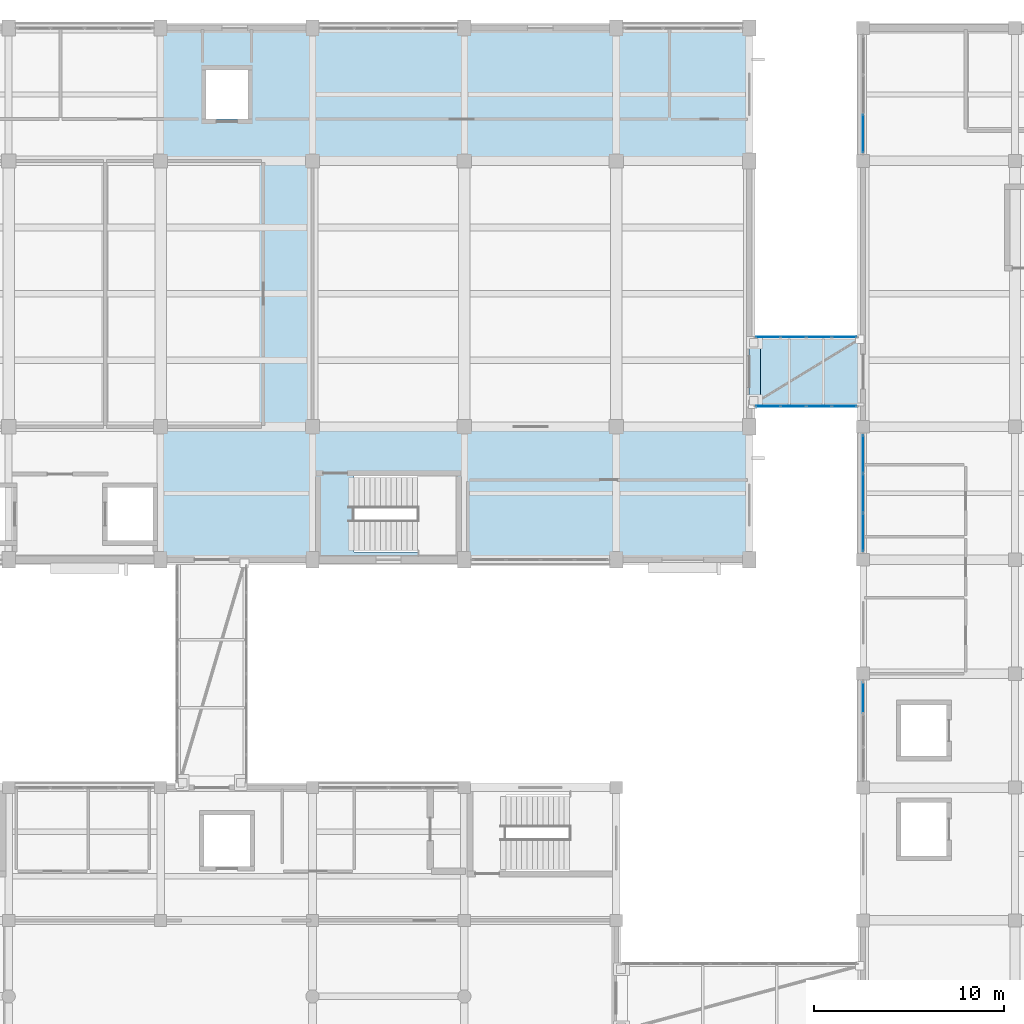
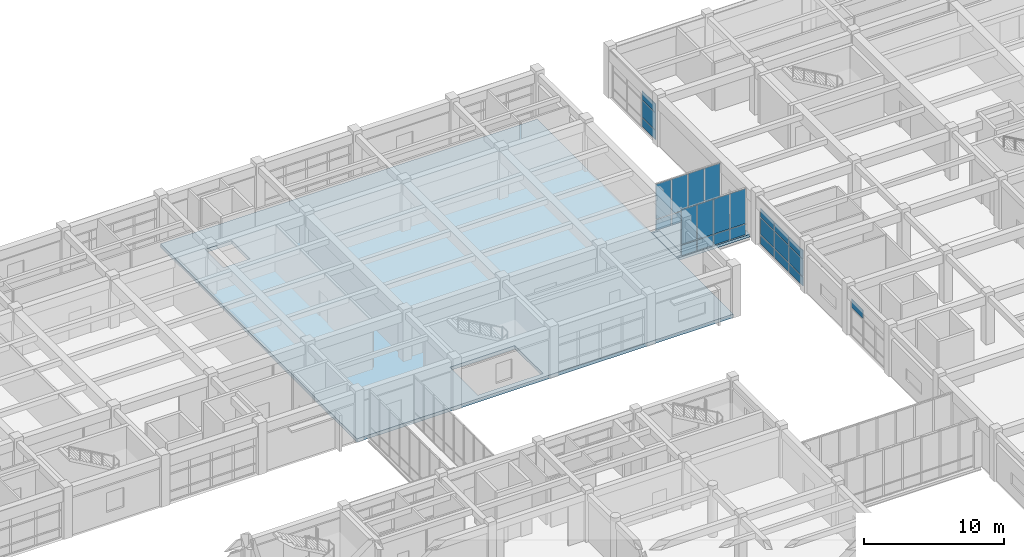
# One storey, part 42 of 72: 30 plates, 2 slabs, 5 elements without a shape of their own.
"""IFC4 building model written with IfcOpenShell, lengths in metres."""

from ifc_helpers import new_model, si_unit, direction, frame, origin, origin_2d, place, context, subcontext, project, spatial, polyline, rectangle, outline, extrude, material, layer, layer_set, type_object, element, aggregate, save


model = new_model("IFC4")

# Units and contexts
model_context = context("Model", 3, precision=1e-05, world=origin(), true_north=direction((0.0, 1.0)))
body_context = subcontext(model_context, "Body", "Model", "MODEL_VIEW")
ifc_project = project(units=[si_unit("LENGTHUNIT", "METRE"), si_unit("AREAUNIT", "SQUARE_METRE"), si_unit("VOLUMEUNIT", "CUBIC_METRE"), si_unit("PLANEANGLEUNIT", "RADIAN"), si_unit("MASSUNIT", "GRAM", prefix="KILO")], contexts=[model_context])

# Site, building, storey
site_placement = place(None, origin())
site = spatial("IfcSite", under=ifc_project, at=site_placement, CompositionType="ELEMENT")
building_placement = place(site_placement, origin())
building = spatial("IfcBuilding", under=site, at=building_placement, Name="Naurynzar Civic Courthouse", CompositionType="ELEMENT")
storey_placement = place(building_placement, frame((0.0, 0.0, 9.89990234375)))
storey = spatial("IfcBuildingStorey", under=building, at=storey_placement, Name="L03", CompositionType="ELEMENT", Elevation=9.89990234375)

# Curtain wall, plates
ifc_material_1 = material(Name="Aluminium 6063-T6", Category="aluminium")
ifc_layer_1 = layer(ifc_material_1, 0.14990234375)
ifc_layer_set_1 = layer_set([ifc_layer_1], Name="CW-BRIDGE-1500")
curtain_wall_type_1 = type_object("IfcCurtainWallType", Name="CW-BRIDGE-1500", PredefinedType="USERDEFINED", material=ifc_layer_set_1)
curtain_wall_1_placement = place(storey_placement, origin())
curtain_wall_1 = element("IfcCurtainWall", 1, at=curtain_wall_1_placement, inside=storey, type_object=curtain_wall_type_1, Name="BR-E1 glazed bridge screen L03.1", ObjectType="GLAZED BRIDGE SCREEN", PredefinedType="USERDEFINED")
ifc_material_2 = material(Name="Tempered Laminated Low-E Glass", Category="glass")
ifc_layer_2 = layer(ifc_material_2, 0.031982421875)
ifc_layer_set_2 = layer_set([ifc_layer_2], Name="CWP-IGU-32")
plate_type_1 = type_object("IfcPlateType", Name="CWP-IGU-32", PredefinedType="CURTAIN_PANEL", material=ifc_layer_set_2)
plate_1_placement = place(storey_placement, frame((124.989990234375, 52.080078125, 0.06005859375), z_axis=(0.0, 0.0, 1.0), x_axis=(1.0, 0.0, 0.0)))
plate_1 = element("IfcPlate", 2, at=plate_1_placement, type_object=plate_type_1, Name="CW-03 panel 1.1", PredefinedType="CURTAIN_PANEL", context=body_context, shape_type="SweptSolid", body=[
    extrude(rectangle(XDim=1.260009765625, YDim=0.031982421875, at=origin_2d()), origin(), (0.0, 0.0, 1.0), 0.909912109375),
])
plate_2_placement = place(storey_placement, frame((124.989990234375, 52.080078125, 1.0302734375), z_axis=(0.0, 0.0, 1.0), x_axis=(1.0, 0.0, 0.0)))
plate_2 = element("IfcPlate", 3, at=plate_2_placement, type_object=plate_type_1, Name="CW-03 panel 1.2", PredefinedType="CURTAIN_PANEL", context=body_context, shape_type="SweptSolid", body=[
    extrude(rectangle(XDim=1.260009765625, YDim=0.031982421875, at=origin_2d()), origin(), (0.0, 0.0, 1.0), 3.030029296875),
])
plate_3_placement = place(storey_placement, frame((126.324951171875, 52.080078125, 0.06005859375), z_axis=(0.0, 0.0, 1.0), x_axis=(1.0, 0.0, 0.0)))
plate_3 = element("IfcPlate", 4, at=plate_3_placement, type_object=plate_type_1, Name="CW-03 panel 2.1", PredefinedType="CURTAIN_PANEL", context=body_context, shape_type="SweptSolid", body=[
    extrude(rectangle(XDim=1.2900390625, YDim=0.031982421875, at=origin_2d()), origin(), (0.0, 0.0, 1.0), 0.909912109375),
])
plate_4_placement = place(storey_placement, frame((126.324951171875, 52.080078125, 1.0302734375), z_axis=(0.0, 0.0, 1.0), x_axis=(1.0, 0.0, 0.0)))
plate_4 = element("IfcPlate", 5, at=plate_4_placement, type_object=plate_type_1, Name="CW-03 panel 2.2", PredefinedType="CURTAIN_PANEL", context=body_context, shape_type="SweptSolid", body=[
    extrude(rectangle(XDim=1.2900390625, YDim=0.031982421875, at=origin_2d()), origin(), (0.0, 0.0, 1.0), 3.030029296875),
])
plate_5_placement = place(storey_placement, frame((127.675048828125, 52.080078125, 0.06005859375), z_axis=(0.0, 0.0, 1.0), x_axis=(1.0, 0.0, 0.0)))
plate_5 = element("IfcPlate", 6, at=plate_5_placement, type_object=plate_type_1, Name="CW-03 panel 3.1", PredefinedType="CURTAIN_PANEL", context=body_context, shape_type="SweptSolid", body=[
    extrude(rectangle(XDim=1.2900390625, YDim=0.031982421875, at=origin_2d()), origin(), (0.0, 0.0, 1.0), 0.909912109375),
])
plate_6_placement = place(storey_placement, frame((127.675048828125, 52.080078125, 1.0302734375), z_axis=(0.0, 0.0, 1.0), x_axis=(1.0, 0.0, 0.0)))
plate_6 = element("IfcPlate", 7, at=plate_6_placement, type_object=plate_type_1, Name="CW-03 panel 3.2", PredefinedType="CURTAIN_PANEL", context=body_context, shape_type="SweptSolid", body=[
    extrude(rectangle(XDim=1.2900390625, YDim=0.031982421875, at=origin_2d()), origin(), (0.0, 0.0, 1.0), 3.030029296875),
])
plate_7_placement = place(storey_placement, frame((129.010009765625, 52.080078125, 0.06005859375), z_axis=(0.0, 0.0, 1.0), x_axis=(1.0, 0.0, 0.0)))
plate_7 = element("IfcPlate", 8, at=plate_7_placement, type_object=plate_type_1, Name="CW-03 panel 4.1", PredefinedType="CURTAIN_PANEL", context=body_context, shape_type="SweptSolid", body=[
    extrude(rectangle(XDim=1.260009765625, YDim=0.031982421875, at=origin_2d()), origin(), (0.0, 0.0, 1.0), 0.909912109375),
])
plate_8_placement = place(storey_placement, frame((129.010009765625, 52.080078125, 1.0302734375), z_axis=(0.0, 0.0, 1.0), x_axis=(1.0, 0.0, 0.0)))
plate_8 = element("IfcPlate", 9, at=plate_8_placement, type_object=plate_type_1, Name="CW-03 panel 4.2", PredefinedType="CURTAIN_PANEL", context=body_context, shape_type="SweptSolid", body=[
    extrude(rectangle(XDim=1.260009765625, YDim=0.031982421875, at=origin_2d()), origin(), (0.0, 0.0, 1.0), 3.030029296875),
])
aggregate(curtain_wall_1, [plate_1, plate_2, plate_3, plate_4, plate_5, plate_6, plate_7, plate_8])

curtain_wall_2_placement = place(storey_placement, origin())
curtain_wall_2 = element("IfcCurtainWall", 10, at=curtain_wall_2_placement, inside=storey, type_object=curtain_wall_type_1, Name="BR-E1 glazed bridge screen L03.2", ObjectType="GLAZED BRIDGE SCREEN", PredefinedType="USERDEFINED")
plate_9_placement = place(storey_placement, frame((129.010009765625, 55.719970703125, 0.06005859375), z_axis=(0.0, 0.0, 1.0), x_axis=(-1.0, 0.0, 0.0)))
plate_9 = element("IfcPlate", 11, at=plate_9_placement, type_object=plate_type_1, Name="CW-03 panel 1.1", PredefinedType="CURTAIN_PANEL", context=body_context, shape_type="SweptSolid", body=[
    extrude(rectangle(XDim=1.260009765625, YDim=0.031982421875, at=origin_2d()), origin(), (0.0, 0.0, 1.0), 0.909912109375),
])
plate_10_placement = place(storey_placement, frame((129.010009765625, 55.719970703125, 1.0302734375), z_axis=(0.0, 0.0, 1.0), x_axis=(-1.0, 0.0, 0.0)))
plate_10 = element("IfcPlate", 12, at=plate_10_placement, type_object=plate_type_1, Name="CW-03 panel 1.2", PredefinedType="CURTAIN_PANEL", context=body_context, shape_type="SweptSolid", body=[
    extrude(rectangle(XDim=1.260009765625, YDim=0.031982421875, at=origin_2d()), origin(), (0.0, 0.0, 1.0), 3.030029296875),
])
plate_11_placement = place(storey_placement, frame((127.675048828125, 55.719970703125, 0.06005859375), z_axis=(0.0, 0.0, 1.0), x_axis=(-1.0, 0.0, 0.0)))
plate_11 = element("IfcPlate", 13, at=plate_11_placement, type_object=plate_type_1, Name="CW-03 panel 2.1", PredefinedType="CURTAIN_PANEL", context=body_context, shape_type="SweptSolid", body=[
    extrude(rectangle(XDim=1.2900390625, YDim=0.031982421875, at=origin_2d()), origin(), (0.0, 0.0, 1.0), 0.909912109375),
])
plate_12_placement = place(storey_placement, frame((127.675048828125, 55.719970703125, 1.0302734375), z_axis=(0.0, 0.0, 1.0), x_axis=(-1.0, 0.0, 0.0)))
plate_12 = element("IfcPlate", 14, at=plate_12_placement, type_object=plate_type_1, Name="CW-03 panel 2.2", PredefinedType="CURTAIN_PANEL", context=body_context, shape_type="SweptSolid", body=[
    extrude(rectangle(XDim=1.2900390625, YDim=0.031982421875, at=origin_2d()), origin(), (0.0, 0.0, 1.0), 3.030029296875),
])
plate_13_placement = place(storey_placement, frame((126.324951171875, 55.719970703125, 0.06005859375), z_axis=(0.0, 0.0, 1.0), x_axis=(-1.0, 0.0, 0.0)))
plate_13 = element("IfcPlate", 15, at=plate_13_placement, type_object=plate_type_1, Name="CW-03 panel 3.1", PredefinedType="CURTAIN_PANEL", context=body_context, shape_type="SweptSolid", body=[
    extrude(rectangle(XDim=1.2900390625, YDim=0.031982421875, at=origin_2d()), origin(), (0.0, 0.0, 1.0), 0.909912109375),
])
plate_14_placement = place(storey_placement, frame((126.324951171875, 55.719970703125, 1.0302734375), z_axis=(0.0, 0.0, 1.0), x_axis=(-1.0, 0.0, 0.0)))
plate_14 = element("IfcPlate", 16, at=plate_14_placement, type_object=plate_type_1, Name="CW-03 panel 3.2", PredefinedType="CURTAIN_PANEL", context=body_context, shape_type="SweptSolid", body=[
    extrude(rectangle(XDim=1.2900390625, YDim=0.031982421875, at=origin_2d()), origin(), (0.0, 0.0, 1.0), 3.030029296875),
])
plate_15_placement = place(storey_placement, frame((124.989990234375, 55.719970703125, 0.06005859375), z_axis=(0.0, 0.0, 1.0), x_axis=(-1.0, 0.0, 0.0)))
plate_15 = element("IfcPlate", 17, at=plate_15_placement, type_object=plate_type_1, Name="CW-03 panel 4.1", PredefinedType="CURTAIN_PANEL", context=body_context, shape_type="SweptSolid", body=[
    extrude(rectangle(XDim=1.260009765625, YDim=0.031982421875, at=origin_2d()), origin(), (0.0, 0.0, 1.0), 0.909912109375),
])
plate_16_placement = place(storey_placement, frame((124.989990234375, 55.719970703125, 1.0302734375), z_axis=(0.0, 0.0, 1.0), x_axis=(-1.0, 0.0, 0.0)))
plate_16 = element("IfcPlate", 18, at=plate_16_placement, type_object=plate_type_1, Name="CW-03 panel 4.2", PredefinedType="CURTAIN_PANEL", context=body_context, shape_type="SweptSolid", body=[
    extrude(rectangle(XDim=1.260009765625, YDim=0.031982421875, at=origin_2d()), origin(), (0.0, 0.0, 1.0), 3.030029296875),
])
aggregate(curtain_wall_2, [plate_9, plate_10, plate_11, plate_12, plate_13, plate_14, plate_15, plate_16])

# Curtain wall, plate
ifc_material_3 = material(Name="Aluminium 6063-T6", Category="aluminium")
ifc_layer_3 = layer(ifc_material_3, 0.159912109375)
ifc_layer_set_3 = layer_set([ifc_layer_3], Name="CW-UNIT-1800")
curtain_wall_type_2 = type_object("IfcCurtainWallType", Name="CW-UNIT-1800", PredefinedType="NOTDEFINED", material=ifc_layer_set_3)
curtain_wall_3_placement = place(storey_placement, origin())
curtain_wall_3 = element("IfcCurtainWall", 19, at=curtain_wall_3_placement, inside=storey, type_object=curtain_wall_type_2, Name="V5 unitised curtain wall 91 L03", PredefinedType="NOTDEFINED")
ifc_material_4 = material(Name="Tempered Laminated Low-E Glass", Category="glass")
ifc_layer_4 = layer(ifc_material_4, 0.035888671875)
ifc_layer_set_4 = layer_set([ifc_layer_4], Name="CWP-IGU-36")
plate_type_2 = type_object("IfcPlateType", Name="CWP-IGU-36", PredefinedType="CURTAIN_PANEL", material=ifc_layer_set_4)
plate_17_placement = place(storey_placement, frame((130.0, 36.72412109375, 2.4150390625), z_axis=(0.0, 0.0, 1.0), x_axis=(0.0, 1.0, 0.0)))
plate_17 = element("IfcPlate", 20, at=plate_17_placement, type_object=plate_type_2, Name="CW-02 panel 3.3", PredefinedType="CURTAIN_PANEL", context=body_context, shape_type="SweptSolid", body=[
    extrude(rectangle(XDim=1.63671875, YDim=0.035888671875, at=origin_2d()), origin(), (0.0, 0.0, 1.0), 0.7451171875),
])
aggregate(curtain_wall_3, [plate_17])

# Curtain wall, plates
curtain_wall_4_placement = place(storey_placement, origin())
curtain_wall_4 = element("IfcCurtainWall", 21, at=curtain_wall_4_placement, inside=storey, type_object=curtain_wall_type_2, Name="V5 unitised curtain wall 92 L03", PredefinedType="NOTDEFINED")
plate_18_placement = place(storey_placement, frame((130.0, 45.4423828125, 0.070068359375), z_axis=(0.0, 0.0, 1.0), x_axis=(0.0, 1.0, 0.0)))
plate_18 = element("IfcPlate", 22, at=plate_18_placement, type_object=plate_type_2, Name="CW-02 panel 1.1", PredefinedType="CURTAIN_PANEL", context=body_context, shape_type="SweptSolid", body=[
    extrude(rectangle(XDim=1.969970703125, YDim=0.035888671875, at=origin_2d()), origin(), (0.0, 0.0, 1.0), 0.7451171875),
])
plate_19_placement = place(storey_placement, frame((130.0, 45.4423828125, 0.885009765625), z_axis=(0.0, 0.0, 1.0), x_axis=(0.0, 1.0, 0.0)))
plate_19 = element("IfcPlate", 23, at=plate_19_placement, type_object=plate_type_2, Name="CW-02 panel 1.2", PredefinedType="CURTAIN_PANEL", context=body_context, shape_type="SweptSolid", body=[
    extrude(rectangle(XDim=1.969970703125, YDim=0.035888671875, at=origin_2d()), origin(), (0.0, 0.0, 1.0), 1.4599609375),
])
plate_20_placement = place(storey_placement, frame((130.0, 45.4423828125, 2.4150390625), z_axis=(0.0, 0.0, 1.0), x_axis=(0.0, 1.0, 0.0)))
plate_20 = element("IfcPlate", 24, at=plate_20_placement, type_object=plate_type_2, Name="CW-02 panel 1.3", PredefinedType="CURTAIN_PANEL", context=body_context, shape_type="SweptSolid", body=[
    extrude(rectangle(XDim=1.969970703125, YDim=0.035888671875, at=origin_2d()), origin(), (0.0, 0.0, 1.0), 0.7451171875),
])
plate_21_placement = place(storey_placement, frame((130.0, 47.5, 0.070068359375), z_axis=(0.0, 0.0, 1.0), x_axis=(0.0, 1.0, 0.0)))
plate_21 = element("IfcPlate", 25, at=plate_21_placement, type_object=plate_type_2, Name="CW-02 panel 2.1", PredefinedType="CURTAIN_PANEL", context=body_context, shape_type="SweptSolid", body=[
    extrude(rectangle(XDim=2.0048828125, YDim=0.035888671875, at=origin_2d()), origin(), (0.0, 0.0, 1.0), 0.7451171875),
])
plate_22_placement = place(storey_placement, frame((130.0, 47.5, 0.885009765625), z_axis=(0.0, 0.0, 1.0), x_axis=(0.0, 1.0, 0.0)))
plate_22 = element("IfcPlate", 26, at=plate_22_placement, type_object=plate_type_2, Name="CW-02 panel 2.2", PredefinedType="CURTAIN_PANEL", context=body_context, shape_type="SweptSolid", body=[
    extrude(rectangle(XDim=2.0048828125, YDim=0.035888671875, at=origin_2d()), origin(), (0.0, 0.0, 1.0), 1.4599609375),
])
plate_23_placement = place(storey_placement, frame((130.0, 47.5, 2.4150390625), z_axis=(0.0, 0.0, 1.0), x_axis=(0.0, 1.0, 0.0)))
plate_23 = element("IfcPlate", 27, at=plate_23_placement, type_object=plate_type_2, Name="CW-02 panel 2.3", PredefinedType="CURTAIN_PANEL", context=body_context, shape_type="SweptSolid", body=[
    extrude(rectangle(XDim=2.0048828125, YDim=0.035888671875, at=origin_2d()), origin(), (0.0, 0.0, 1.0), 0.7451171875),
])
plate_24_placement = place(storey_placement, frame((130.0, 49.5576171875, 0.070068359375), z_axis=(0.0, 0.0, 1.0), x_axis=(0.0, 1.0, 0.0)))
plate_24 = element("IfcPlate", 28, at=plate_24_placement, type_object=plate_type_2, Name="CW-02 panel 3.1", PredefinedType="CURTAIN_PANEL", context=body_context, shape_type="SweptSolid", body=[
    extrude(rectangle(XDim=1.969970703125, YDim=0.035888671875, at=origin_2d()), origin(), (0.0, 0.0, 1.0), 0.7451171875),
])
plate_25_placement = place(storey_placement, frame((130.0, 49.5576171875, 0.885009765625), z_axis=(0.0, 0.0, 1.0), x_axis=(0.0, 1.0, 0.0)))
plate_25 = element("IfcPlate", 29, at=plate_25_placement, type_object=plate_type_2, Name="CW-02 panel 3.2", PredefinedType="CURTAIN_PANEL", context=body_context, shape_type="SweptSolid", body=[
    extrude(rectangle(XDim=1.969970703125, YDim=0.035888671875, at=origin_2d()), origin(), (0.0, 0.0, 1.0), 1.4599609375),
])
plate_26_placement = place(storey_placement, frame((130.0, 49.5576171875, 2.4150390625), z_axis=(0.0, 0.0, 1.0), x_axis=(0.0, 1.0, 0.0)))
plate_26 = element("IfcPlate", 30, at=plate_26_placement, type_object=plate_type_2, Name="CW-02 panel 3.3", PredefinedType="CURTAIN_PANEL", context=body_context, shape_type="SweptSolid", body=[
    extrude(rectangle(XDim=1.969970703125, YDim=0.035888671875, at=origin_2d()), origin(), (0.0, 0.0, 1.0), 0.7451171875),
])
aggregate(curtain_wall_4, [plate_18, plate_19, plate_20, plate_21, plate_22, plate_23, plate_24, plate_25, plate_26])

curtain_wall_5_placement = place(storey_placement, origin())
curtain_wall_5 = element("IfcCurtainWall", 31, at=curtain_wall_5_placement, inside=storey, type_object=curtain_wall_type_2, Name="V5 unitised curtain wall 93 L03", PredefinedType="NOTDEFINED")
plate_27_placement = place(storey_placement, frame((130.0, 66.4423828125, 0.070068359375), z_axis=(0.0, 0.0, 1.0), x_axis=(0.0, 1.0, 0.0)))
plate_27 = element("IfcPlate", 32, at=plate_27_placement, type_object=plate_type_2, Name="CW-02 panel 1.1", PredefinedType="CURTAIN_PANEL", context=body_context, shape_type="SweptSolid", body=[
    extrude(rectangle(XDim=1.969970703125, YDim=0.035888671875, at=origin_2d()), origin(), (0.0, 0.0, 1.0), 0.7451171875),
])
plate_28_placement = place(storey_placement, frame((130.0, 66.4423828125, 0.885009765625), z_axis=(0.0, 0.0, 1.0), x_axis=(0.0, 1.0, 0.0)))
plate_28 = element("IfcPlate", 33, at=plate_28_placement, type_object=plate_type_2, Name="CW-02 panel 1.2", PredefinedType="CURTAIN_PANEL", context=body_context, shape_type="SweptSolid", body=[
    extrude(rectangle(XDim=1.969970703125, YDim=0.035888671875, at=origin_2d()), origin(), (0.0, 0.0, 1.0), 1.4599609375),
])
plate_29_placement = place(storey_placement, frame((130.0, 66.4423828125, 2.4150390625), z_axis=(0.0, 0.0, 1.0), x_axis=(0.0, 1.0, 0.0)))
plate_29 = element("IfcPlate", 34, at=plate_29_placement, type_object=plate_type_2, Name="CW-02 panel 1.3", PredefinedType="CURTAIN_PANEL", context=body_context, shape_type="SweptSolid", body=[
    extrude(rectangle(XDim=1.969970703125, YDim=0.035888671875, at=origin_2d()), origin(), (0.0, 0.0, 1.0), 0.7451171875),
])
aggregate(curtain_wall_5, [plate_27, plate_28, plate_29])

# Plate
ifc_material_5 = material(Name="Brushed Stainless Steel 304", Category="steel")
ifc_layer_5 = layer(ifc_material_5, 0.011962890625)
ifc_layer_set_5 = layer_set([ifc_layer_5], Name="PLT-SEISMIC-COVER-12")
plate_type_3 = type_object("IfcPlateType", Name="PLT-SEISMIC-COVER-12", PredefinedType="SHEET", material=ifc_layer_set_5)
plate_30_placement = place(storey_placement, frame((124.300048828125, 53.89990234375, 0.0), z_axis=(0.0, 0.0, 1.0), x_axis=(1.0, 0.0, 0.0)))
element("IfcPlate", 35, at=plate_30_placement, inside=storey, type_object=plate_type_3, Name="BR-E1 seismic floor joint cover plate L03", PredefinedType="SHEET", context=body_context, shape_type="SweptSolid", body=[
    extrude(rectangle(XDim=0.60009765625, YDim=3.39990234375, at=origin_2d()), origin(), (0.0, 0.0, 1.0), 0.011962890625),
])

# Slabs
ifc_material_6 = material(Name="Concrete C35/45", Category="concrete")
ifc_layer_6 = layer(ifc_material_6, 0.239990234375)
ifc_layer_set_6 = layer_set([ifc_layer_6], Name="SLB-BRG-240")
slab_type_1 = type_object("IfcSlabType", Name="SLB-BRG-240", PredefinedType="FLOOR", material=ifc_layer_set_6)
slab_1_placement = place(storey_placement, frame((0.0, 0.0, -0.239990234375)))
element("IfcSlab", 36, at=slab_1_placement, inside=storey, type_object=slab_type_1, Name="East Judicial Seismic Link Passage deck slab L03", PredefinedType="FLOOR", context=body_context, shape_type="SweptSolid", body=[
    extrude(outline(polyline([(124.02001953125, 52.02001953125), (129.97998046875, 52.02001953125), (129.97998046875, 55.780029296875), (124.02001953125, 55.780029296875), (124.02001953125, 52.02001953125)])), origin(), (0.0, 0.0, 1.0), 0.239990234375),
])
ifc_material_7 = material(Name="Concrete C35/45", Category="concrete")
ifc_layer_7 = layer(ifc_material_7, 0.300048828125)
ifc_layer_set_7 = layer_set([ifc_layer_7], Name="SLB-PT-300")
slab_type_2 = type_object("IfcSlabType", Name="SLB-PT-300", PredefinedType="FLOOR", material=ifc_layer_set_7)
slab_2_placement = place(storey_placement, frame((0.0, 0.0, -0.2998046875)))
element("IfcSlab", 37, at=slab_2_placement, inside=storey, type_object=slab_type_2, Name="V2 floor slab L03 E", PredefinedType="FLOOR", context=body_context, shape_type="SweptSolid", body=[
    extrude(outline(polyline([(124.0, 44.0), (124.0, 72.0), (93.0, 72.0), (93.0, 44.0), (124.0, 44.0)]), holes=[polyline([(103.179931640625, 44.39990234375), (108.550048828125, 44.39990234375), (108.550048828125, 48.39990234375), (103.179931640625, 48.39990234375), (103.179931640625, 44.39990234375)]), polyline([(95.39990234375, 67.199951171875), (97.60009765625, 67.199951171875), (97.60009765625, 69.800048828125), (95.39990234375, 69.800048828125), (95.39990234375, 67.199951171875)])]), origin(), (0.0, 0.0, 1.0), 0.2998046875),
])

save(model, "model.ifc")
